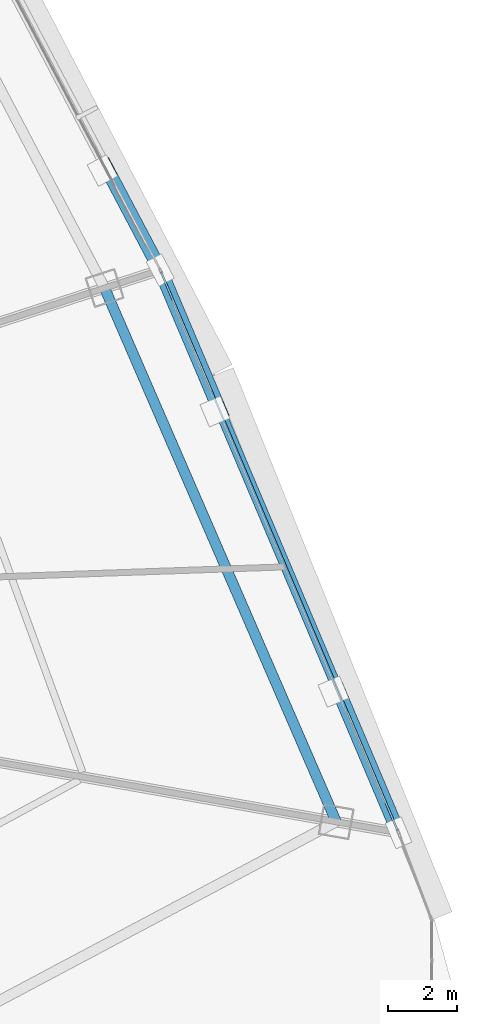
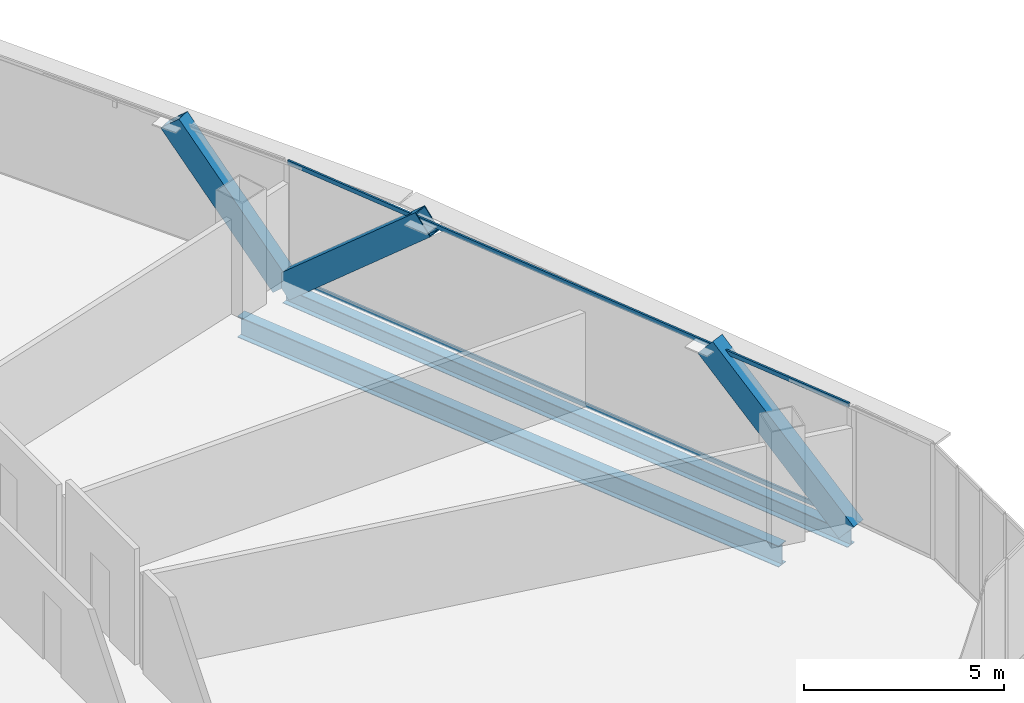
# One storey, part 24 of 37: 5 members, 2 beams, 1 element without a shape of its own.
"""IFC4 building model written with IfcOpenShell, lengths in metres."""

from ifc_helpers import new_model, si_unit, direction, frame, origin, origin_2d, place, context, subcontext, project, spatial, hollow_rectangle, i_section, extrude, source, transform, mapped, material, layer, layer_set, material_profile, profile_set, type_object, element, aggregate, save


model = new_model("IFC4")

# Units and contexts
model_context = context("Model", 3, precision=1e-05, world=origin(), true_north=direction((0.0, 1.0)))
body_context = subcontext(model_context, "Body", "Model", "MODEL_VIEW")
ifc_project = project(units=[si_unit("LENGTHUNIT", "METRE"), si_unit("AREAUNIT", "SQUARE_METRE"), si_unit("VOLUMEUNIT", "CUBIC_METRE"), si_unit("PLANEANGLEUNIT", "RADIAN"), si_unit("MASSUNIT", "GRAM", prefix="KILO"), si_unit("THERMODYNAMICTEMPERATUREUNIT", "KELVIN"), si_unit("POWERUNIT", "WATT")], contexts=[model_context])

# Site, building, storey
site_placement = place(None, origin())
site = spatial("IfcSite", under=ifc_project, at=site_placement, CompositionType="ELEMENT")
building_placement = place(site_placement, origin())
building = spatial("IfcBuilding", under=site, at=building_placement, Name="Yunzhuo Pagoda Commons", CompositionType="ELEMENT")
storey_placement = place(building_placement, frame((0.0, 0.0, 207.56005859375)))
storey = spatial("IfcBuildingStorey", under=building, at=storey_placement, Name="L52", CompositionType="ELEMENT", Elevation=207.56005859375)

# Beams
ifc_material_1 = material(Name="Structural steel Q355B", Category="steel")
ifc_material_profile_1 = material_profile(ifc_material_1, i_section(OverallWidth=0.300048828125, OverallDepth=0.64990234375, WebThickness=0.012939453125, FlangeThickness=0.02197265625, at=origin_2d()), Name="Structural steel Q355B")
ifc_profile_set_1 = profile_set([ifc_material_profile_1], Name="Structural steel Q355B")
beam_type_1 = type_object("IfcBeamType", Name="B-RG2 Beam HN 650x300x13x22", PredefinedType="BEAM", material=ifc_profile_set_1)
shared_shape_1 = source(origin(), body_context, "Body", "SweptSolid", [
    extrude(i_section(OverallWidth=0.300048828125, OverallDepth=0.64990234375, WebThickness=0.012939453125, FlangeThickness=0.02197265625, at=origin_2d()), origin(), (0.0, 0.0, 1.0), 16.859619140625),
])
beam_1_placement = place(storey_placement, frame((83.20654296875, 27.492431640625, -0.5849609375), z_axis=(-0.398104384161, 0.917340121935, 0.0), x_axis=(-0.917340121935, -0.398104384161, 0.0)))
element("IfcBeam", 1, at=beam_1_placement, inside=storey, type_object=beam_type_1, Name="L52 column-ring beam 5", PredefinedType="BEAM", context=body_context, shape_type="MappedRepresentation", body=[
    mapped(shared_shape_1, transform((0.0, 0.0, 0.0), scale=1.0)),
])
ifc_material_profile_2 = material_profile(ifc_material_1, i_section(OverallWidth=0.300048828125, OverallDepth=0.488037109375, WebThickness=0.010986328125, FlangeThickness=0.01806640625, at=origin_2d()), Name="Structural steel Q355B")
ifc_profile_set_2 = profile_set([ifc_material_profile_2], Name="Structural steel Q355B")
beam_type_2 = type_object("IfcBeamType", Name="B-SP1 Beam HM 488x300x11x18", PredefinedType="BEAM", material=ifc_profile_set_2)
shared_shape_2 = source(origin(), body_context, "Body", "SweptSolid", [
    extrude(i_section(OverallWidth=0.300048828125, OverallDepth=0.488037109375, WebThickness=0.010986328125, FlangeThickness=0.01806640625, at=origin_2d()), origin(), (0.0, 0.0, 1.0), 17.71142578125),
])
beam_2_placement = place(storey_placement, frame((85.014404296875, 27.17333984375, -0.504150390625), z_axis=(-0.389974526581, 0.92082564507, 0.0), x_axis=(-0.92082564507, -0.389974526581, 0.0)))
element("IfcBeam", 2, at=beam_2_placement, inside=storey, type_object=beam_type_2, Name="L52 facade edge spandrel beam F2.1", PredefinedType="BEAM", context=body_context, shape_type="MappedRepresentation", body=[
    mapped(shared_shape_2, transform((0.0, 0.0, 0.0), scale=1.0)),
])

# Members
ifc_material_profile_3 = material_profile(ifc_material_1, hollow_rectangle(XDim=0.39990234375, YDim=0.719970703125, WallThickness=0.02392578125, at=origin_2d()), Name="Structural steel Q355B")
ifc_profile_set_3 = profile_set([ifc_material_profile_3], Name="Structural steel Q355B")
member_type_1 = type_object("IfcMemberType", Name="M-DL2 Brace BOX 720x400x24", PredefinedType="BRACE", material=ifc_profile_set_3)
shared_shape_3 = source(origin(), body_context, "Body", "SweptSolid", [
    extrude(hollow_rectangle(XDim=0.39990234375, YDim=0.719970703125, WallThickness=0.02392578125, at=origin_2d()), origin(), (0.0, 0.0, 1.0), 5.8349609375),
])
for number, where, z_axis, x_axis, name in (
    (3, (85.014404296875, 27.17333984375, -0.260009765625), (-0.295947496417, 0.698759110725, 0.651268596313), (-0.920816502007, -0.389996114892, 0.0), "L52 facade diamond brace F2.1L"),
    (4, (78.107421875, 43.482421875, -0.260009765625), (0.295985672854, -0.698750457544, 0.651260531237), (0.920796700115, 0.390042865666, 0.0), "L52 facade diamond brace F2.1R"),
):
    element("IfcMember", number, at=place(storey_placement, frame(where, z_axis=z_axis, x_axis=x_axis)), inside=storey, type_object=member_type_1, Name=name, PredefinedType="BRACE", context=body_context, shape_type="MappedRepresentation", body=[
        mapped(shared_shape_3, transform((0.0, 0.0, 0.0), scale=1.0)),
    ])
shared_shape_4 = source(origin(), body_context, "Body", "SweptSolid", [
    extrude(hollow_rectangle(XDim=0.39990234375, YDim=0.719970703125, WallThickness=0.02392578125, at=origin_2d()), origin(), (0.0, 0.0, 1.0), 5.046630859375),
])
member_1_placement = place(storey_placement, frame((78.107421875, 43.482421875, -0.260009765625), z_axis=(-0.306861600921, 0.582083995316, 0.753003439751), x_axis=(-0.884603842661, -0.466343265791, 0.0)))
element("IfcMember", 5, at=member_1_placement, inside=storey, type_object=member_type_1, Name="L52 facade diamond brace F2.2L", PredefinedType="BRACE", context=body_context, shape_type="MappedRepresentation", body=[
    mapped(shared_shape_4, transform((0.0, 0.0, 0.0), scale=1.0)),
])

# Curtain wall, members
ifc_material_2 = material(Name="Anodized aluminium 6063-T6", Category="aluminium")
ifc_layer = layer(ifc_material_2, 0.14990234375)
ifc_layer_set = layer_set([ifc_layer], Name="Anodized aluminium 6063-T6")
curtain_wall_type = type_object("IfcCurtainWallType", Name="CW-MID Mid-Zone Ribbon Curtain Wall", PredefinedType="NOTDEFINED", material=ifc_layer_set)
curtain_wall_placement = place(storey_placement, origin())
curtain_wall = element("IfcCurtainWall", 6, at=curtain_wall_placement, inside=storey, type_object=curtain_wall_type, Name="L52 curtain wall CW-L52-F2B2", PredefinedType="NOTDEFINED")
ifc_material_profile_4 = material_profile(ifc_material_2, hollow_rectangle(XDim=0.054931640625, YDim=0.1298828125, WallThickness=0.00341796875, at=origin_2d()), Name="Anodized aluminium 6063-T6")
ifc_profile_set_4 = profile_set([ifc_material_profile_4], Name="Anodized aluminium 6063-T6")
member_type_2 = type_object("IfcMemberType", Name="CW-MID-T Transom RHS 130x55x3.5", PredefinedType="USERDEFINED", material=ifc_profile_set_4)
shared_shape_5 = source(origin(), body_context, "Body", "SweptSolid", [
    extrude(hollow_rectangle(XDim=0.054931640625, YDim=0.1298828125, WallThickness=0.00341796875, at=origin_2d()), origin(), (0.0, 0.0, 1.0), 17.591552734375),
])
member_2_placement = place(storey_placement, frame((84.9912109375, 27.228515625, 0.02734375), z_axis=(-0.389979520637, 0.920823530045, 0.0), x_axis=(-0.920823530045, -0.389979520637, 0.0)))
member_2 = element("IfcMember", 7, at=member_2_placement, type_object=member_type_2, Name="CW transom 1.1", ObjectType="TRANSOM", PredefinedType="USERDEFINED", context=body_context, shape_type="MappedRepresentation", body=[
    mapped(shared_shape_5, transform((0.0, 0.0, 0.0), scale=1.0)),
])
member_3_placement = place(storey_placement, frame((84.9912109375, 27.228515625, 3.512451171875), z_axis=(-0.389979520637, 0.920823530045, 0.0), x_axis=(-0.920823530045, -0.389979520637, 0.0)))
member_3 = element("IfcMember", 8, at=member_3_placement, type_object=member_type_2, Name="CW transom 1.2", ObjectType="TRANSOM", PredefinedType="USERDEFINED", context=body_context, shape_type="MappedRepresentation", body=[
    mapped(shared_shape_5, transform((0.0, 0.0, 0.0), scale=1.0)),
])
aggregate(curtain_wall, [member_2, member_3])

save(model, "model.ifc")
